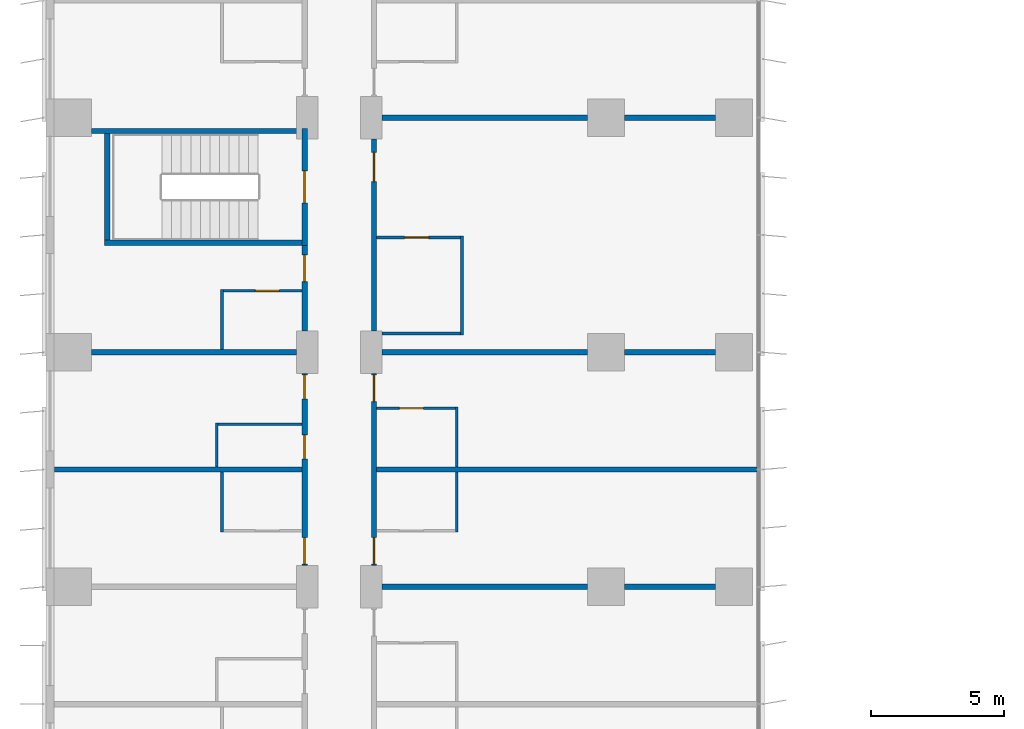
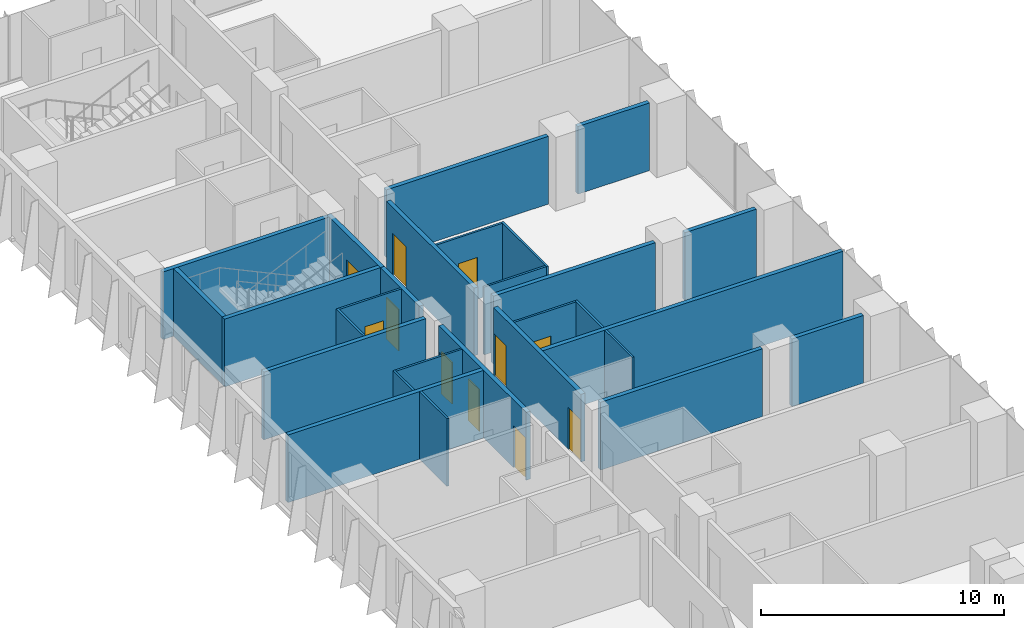
# One storey, part 17 of 24: 28 walls, 11 doors, 11 openings.
"""IFC4 building model written with IfcOpenShell, lengths in metres."""

from ifc_helpers import new_model, si_unit, direction, frame, frame_2d, origin, place, context, subcontext, project, spatial, rectangle, extrude, material, layer, layer_set, type_object, element, fill, save


model = new_model("IFC4")

# Units and contexts
model_context = context("Model", 3, precision=1e-05, world=origin(), true_north=direction((0.0, 1.0)))
body_context = subcontext(model_context, "Body", "Model", "MODEL_VIEW")
ifc_project = project(units=[si_unit("LENGTHUNIT", "METRE"), si_unit("AREAUNIT", "SQUARE_METRE"), si_unit("VOLUMEUNIT", "CUBIC_METRE"), si_unit("PLANEANGLEUNIT", "RADIAN"), si_unit("MASSUNIT", "GRAM", prefix="KILO")], contexts=[model_context])

# Site, building, storey
site_placement = place(None, origin())
site = spatial("IfcSite", under=ifc_project, at=site_placement, CompositionType="ELEMENT")
building_placement = place(site_placement, origin())
building = spatial("IfcBuilding", under=site, at=building_placement, Name="Kemantara Hotel Tower", CompositionType="ELEMENT")
storey_placement = place(building_placement, frame((0.0, 0.0, 37.699951171875)))
storey = spatial("IfcBuildingStorey", under=building, at=storey_placement, Name="L07", CompositionType="ELEMENT", Elevation=37.699951171875)

# Wall, openings, doors
ifc_material_1 = material(Name="Gypsum board partition, steel studs and mineral wool, 200 mm", Category="steel")
ifc_layer_1 = layer(ifc_material_1, 0.199951171875)
ifc_layer_set_1 = layer_set([ifc_layer_1], Name="Gypsum board partition, steel studs and mineral wool, 200 mm")
wall_type_1 = type_object("IfcWallType", Name="CORRIDOR WALL 200", PredefinedType="PARTITIONING", material=ifc_layer_set_1)
wall_1_placement = place(storey_placement, frame((9.699951171875, 45.800048828125, 0.0), z_axis=(0.0, 0.0, 1.0), x_axis=(0.0, 1.0, 0.0)))
wall_1 = element("IfcWall", 1, at=wall_1_placement, inside=storey, type_object=wall_type_1, Name="CORRIDOR WALL 200 035", PredefinedType="PARTITIONING", context=body_context, shape_type="SweptSolid", body=[
    extrude(rectangle(XDim=7.199951171875, YDim=0.199951171875, at=frame_2d((3.60009765625, 0.0))), origin(), (0.0, 0.0, 1.0), 3.400146484375),
])
opening_1_placement = place(wall_1_placement, frame((0.0498046875, 0.0, 0.0)))
opening_1 = element("IfcOpeningElement", 2, at=opening_1_placement, cuts=wall_1, Name="Opening F01-045", PredefinedType="OPENING", context=body_context, shape_type="SweptSolid", body=[
    extrude(rectangle(XDim=1.0, YDim=2.10009765625, at=frame_2d((0.5, 1.050048828125))), frame((0.0, 0.10986328125, 0.0), z_axis=(0.0, -1.0, 0.0), x_axis=(1.0, 0.0, 0.0)), (0.0, 0.0, 1.0), 0.219970703125),
])
opening_2_placement = place(wall_1_placement, frame((6.25, 0.0, 0.0)))
opening_2 = element("IfcOpeningElement", 3, at=opening_2_placement, cuts=wall_1, Name="Opening F01-047", PredefinedType="OPENING", context=body_context, shape_type="SweptSolid", body=[
    extrude(rectangle(XDim=0.89990234375, YDim=2.10009765625, at=frame_2d((0.449951171875, 1.050048828125))), frame((0.0, 0.10986328125, 0.0), z_axis=(0.0, -1.0, 0.0), x_axis=(1.0, 0.0, 0.0)), (0.0, 0.0, 1.0), 0.219970703125),
])
opening_3_placement = place(wall_1_placement, frame((4.0, 0.0, 0.0)))
opening_3 = element("IfcOpeningElement", 4, at=opening_3_placement, cuts=wall_1, Name="Opening F01-048", PredefinedType="OPENING", context=body_context, shape_type="SweptSolid", body=[
    extrude(rectangle(XDim=0.89990234375, YDim=2.10009765625, at=frame_2d((0.449951171875, 1.050048828125))), frame((0.0, 0.10986328125, 0.0), z_axis=(0.0, -1.0, 0.0), x_axis=(1.0, 0.0, 0.0)), (0.0, 0.0, 1.0), 0.219970703125),
])
ifc_material_2 = material(Name="Hardwood veneer door leaf with steel frame", Category="steel")
door_type_1 = type_object("IfcDoorType", Name="GUEST ROOM DOOR 1000 X 2100 FD30S", OperationType="NOTDEFINED", PredefinedType="DOOR", material=ifc_material_2)
door_1_placement = place(opening_1_placement, origin())
door_1 = element("IfcDoor", 5, at=door_1_placement, inside=storey, type_object=door_type_1, Name="GUEST ROOM DOOR F01-045", OperationType="SINGLE_SWING_LEFT", OverallHeight=2.10009765625, OverallWidth=1.0, PredefinedType="DOOR", context=body_context, shape_type="SweptSolid", body=[
    extrude(rectangle(XDim=1.0, YDim=2.10009765625, at=frame_2d((0.5, 1.050048828125))), frame((0.0, 0.02490234375, 0.0), z_axis=(0.0, -1.0, 0.0), x_axis=(1.0, 0.0, 0.0)), (0.0, 0.0, 1.0), 0.050048828125),
])
fill(opening_1, door_1)
ifc_material_3 = material(Name="Steel door leaf with steel frame", Category="steel")
door_type_2 = type_object("IfcDoorType", Name="SERVICE ROOM DOOR 900 X 2100 FD60", OperationType="NOTDEFINED", PredefinedType="DOOR", material=ifc_material_3)
door_2_placement = place(opening_2_placement, origin())
door_2 = element("IfcDoor", 6, at=door_2_placement, inside=storey, type_object=door_type_2, Name="SERVICE ROOM DOOR F01-047", OperationType="SINGLE_SWING_RIGHT", OverallHeight=2.10009765625, OverallWidth=0.89990234375, PredefinedType="DOOR", context=body_context, shape_type="SweptSolid", body=[
    extrude(rectangle(XDim=0.89990234375, YDim=2.10009765625, at=frame_2d((0.449951171875, 1.050048828125))), frame((0.0, 0.02490234375, 0.0), z_axis=(0.0, -1.0, 0.0), x_axis=(1.0, 0.0, 0.0)), (0.0, 0.0, 1.0), 0.050048828125),
])
fill(opening_2, door_2)
door_3_placement = place(opening_3_placement, origin())
door_3 = element("IfcDoor", 7, at=door_3_placement, inside=storey, type_object=door_type_2, Name="SERVICE ROOM DOOR F01-048", OperationType="SINGLE_SWING_LEFT", OverallHeight=2.10009765625, OverallWidth=0.89990234375, PredefinedType="DOOR", context=body_context, shape_type="SweptSolid", body=[
    extrude(rectangle(XDim=0.89990234375, YDim=2.10009765625, at=frame_2d((0.449951171875, 1.050048828125))), frame((0.0, 0.02490234375, 0.0), z_axis=(0.0, -1.0, 0.0), x_axis=(1.0, 0.0, 0.0)), (0.0, 0.0, 1.0), 0.050048828125),
])
fill(opening_3, door_3)

# Wall, opening, door
wall_2_placement = place(storey_placement, frame((9.699951171875, 54.60009765625, 0.0), z_axis=(0.0, 0.0, 1.0), x_axis=(0.0, 1.0, 0.0)))
wall_2 = element("IfcWall", 8, at=wall_2_placement, inside=storey, type_object=wall_type_1, Name="CORRIDOR WALL 200 036", PredefinedType="PARTITIONING", context=body_context, shape_type="SweptSolid", body=[
    extrude(rectangle(XDim=3.199951171875, YDim=0.199951171875, at=frame_2d((1.60009765625, 0.0))), origin(), (0.0, 0.0, 1.0), 3.400146484375),
])
opening_4_placement = place(wall_2_placement, frame((1.849853515625, 0.0, 0.0)))
opening_4 = element("IfcOpeningElement", 9, at=opening_4_placement, cuts=wall_2, Name="Opening F01-049", PredefinedType="OPENING", context=body_context, shape_type="SweptSolid", body=[
    extrude(rectangle(XDim=1.0, YDim=2.10009765625, at=frame_2d((0.5, 1.050048828125))), frame((0.0, 0.10986328125, 0.0), z_axis=(0.0, -1.0, 0.0), x_axis=(1.0, 0.0, 0.0)), (0.0, 0.0, 1.0), 0.219970703125),
])
door_4_placement = place(opening_4_placement, origin())
door_4 = element("IfcDoor", 10, at=door_4_placement, inside=storey, type_object=door_type_1, Name="GUEST ROOM DOOR F01-049", OperationType="SINGLE_SWING_RIGHT", OverallHeight=2.10009765625, OverallWidth=1.0, PredefinedType="DOOR", context=body_context, shape_type="SweptSolid", body=[
    extrude(rectangle(XDim=1.0, YDim=2.10009765625, at=frame_2d((0.5, 1.050048828125))), frame((0.0, 0.02490234375, 0.0), z_axis=(0.0, -1.0, 0.0), x_axis=(1.0, 0.0, 0.0)), (0.0, 0.0, 1.0), 0.050048828125),
])
fill(opening_4, door_4)

# Wall, openings, doors
wall_3_placement = place(storey_placement, frame((12.300048828125, 53.0, 0.0), z_axis=(0.0, 0.0, 1.0), x_axis=(0.0, -1.0, 0.0)))
wall_3 = element("IfcWall", 11, at=wall_3_placement, inside=storey, type_object=wall_type_1, Name="CORRIDOR WALL 200 059", PredefinedType="PARTITIONING", context=body_context, shape_type="SweptSolid", body=[
    extrude(rectangle(XDim=7.199951171875, YDim=0.199951171875, at=frame_2d((3.60009765625, 0.0))), origin(), (0.0, 0.0, 1.0), 3.400146484375),
])
opening_5_placement = place(wall_3_placement, frame((6.14990234375, 0.0, 0.0)))
opening_5 = element("IfcOpeningElement", 12, at=opening_5_placement, cuts=wall_3, Name="Opening F01-065", PredefinedType="OPENING", context=body_context, shape_type="SweptSolid", body=[
    extrude(rectangle(XDim=1.0, YDim=2.10009765625, at=frame_2d((0.5, 1.050048828125))), frame((0.0, 0.10986328125, 0.0), z_axis=(0.0, -1.0, 0.0), x_axis=(1.0, 0.0, 0.0)), (0.0, 0.0, 1.0), 0.219970703125),
])
opening_6_placement = place(wall_3_placement, frame((0.0498046875, 0.0, 0.0)))
opening_6 = element("IfcOpeningElement", 13, at=opening_6_placement, cuts=wall_3, Name="Opening F01-067", PredefinedType="OPENING", context=body_context, shape_type="SweptSolid", body=[
    extrude(rectangle(XDim=1.0, YDim=2.10009765625, at=frame_2d((0.5, 1.050048828125))), frame((0.0, 0.10986328125, 0.0), z_axis=(0.0, -1.0, 0.0), x_axis=(1.0, 0.0, 0.0)), (0.0, 0.0, 1.0), 0.219970703125),
])
door_5_placement = place(opening_5_placement, origin())
door_5 = element("IfcDoor", 14, at=door_5_placement, inside=storey, type_object=door_type_1, Name="GUEST ROOM DOOR F01-065", OperationType="SINGLE_SWING_RIGHT", OverallHeight=2.10009765625, OverallWidth=1.0, PredefinedType="DOOR", context=body_context, shape_type="SweptSolid", body=[
    extrude(rectangle(XDim=1.0, YDim=2.10009765625, at=frame_2d((0.5, 1.050048828125))), frame((0.0, 0.02490234375, 0.0), z_axis=(0.0, -1.0, 0.0), x_axis=(1.0, 0.0, 0.0)), (0.0, 0.0, 1.0), 0.050048828125),
])
fill(opening_5, door_5)
door_6_placement = place(opening_6_placement, origin())
door_6 = element("IfcDoor", 15, at=door_6_placement, inside=storey, type_object=door_type_1, Name="GUEST ROOM DOOR F01-067", OperationType="SINGLE_SWING_LEFT", OverallHeight=2.10009765625, OverallWidth=1.0, PredefinedType="DOOR", context=body_context, shape_type="SweptSolid", body=[
    extrude(rectangle(XDim=1.0, YDim=2.10009765625, at=frame_2d((0.5, 1.050048828125))), frame((0.0, 0.02490234375, 0.0), z_axis=(0.0, -1.0, 0.0), x_axis=(1.0, 0.0, 0.0)), (0.0, 0.0, 1.0), 0.050048828125),
])
fill(opening_6, door_6)

# Wall, opening, door
wall_4_placement = place(storey_placement, frame((12.300048828125, 61.7998046875, 0.0), z_axis=(0.0, 0.0, 1.0), x_axis=(0.0, -1.0, 0.0)))
wall_4 = element("IfcWall", 16, at=wall_4_placement, inside=storey, type_object=wall_type_1, Name="CORRIDOR WALL 200 060", PredefinedType="PARTITIONING", context=body_context, shape_type="SweptSolid", body=[
    extrude(rectangle(XDim=7.19970703125, YDim=0.199951171875, at=frame_2d((3.599853515625, 0.0))), origin(), (0.0, 0.0, 1.0), 3.400146484375),
])
opening_7_placement = place(wall_4_placement, frame((0.5, 0.0, 0.0)))
opening_7 = element("IfcOpeningElement", 17, at=opening_7_placement, cuts=wall_4, Name="Opening F01-069", PredefinedType="OPENING", context=body_context, shape_type="SweptSolid", body=[
    extrude(rectangle(XDim=1.10009765625, YDim=2.10009765625, at=frame_2d((0.550048828125, 1.050048828125))), frame((0.0, 0.10986328125, 0.0), z_axis=(0.0, -1.0, 0.0), x_axis=(1.0, 0.0, 0.0)), (0.0, 0.0, 1.0), 0.219970703125),
])
door_type_3 = type_object("IfcDoorType", Name="SUITE ENTRANCE DOOR 1100 X 2100 FD30S", OperationType="NOTDEFINED", PredefinedType="DOOR", material=ifc_material_2)
door_7_placement = place(opening_7_placement, origin())
door_7 = element("IfcDoor", 18, at=door_7_placement, inside=storey, type_object=door_type_3, Name="SUITE ENTRANCE DOOR F01-069", OperationType="SINGLE_SWING_LEFT", OverallHeight=2.10009765625, OverallWidth=1.10009765625, PredefinedType="DOOR", context=body_context, shape_type="SweptSolid", body=[
    extrude(rectangle(XDim=1.10009765625, YDim=2.10009765625, at=frame_2d((0.550048828125, 1.050048828125))), frame((0.0, 0.02490234375, 0.0), z_axis=(0.0, -1.0, 0.0), x_axis=(1.0, 0.0, 0.0)), (0.0, 0.0, 1.0), 0.050048828125),
])
fill(opening_7, door_7)

ifc_material_4 = material(Name="Concrete fc 40 MPa", Category="concrete")
ifc_layer_2 = layer(ifc_material_4, 0.199951171875)
ifc_layer_set_2 = layer_set([ifc_layer_2], Name="Concrete fc 40 MPa")
wall_type_2 = type_object("IfcWallType", Name="Concrete stair wall 200 mm", PredefinedType="SHEAR", material=ifc_layer_set_2)
wall_5_placement = place(storey_placement, frame((9.699951171875, 57.800048828125, 0.0), z_axis=(0.0, 0.0, 1.0), x_axis=(0.0, 1.0, 0.0)))
wall_5 = element("IfcWall", 19, at=wall_5_placement, inside=storey, type_object=wall_type_2, Name="Stair ST4 enclosure wall with door", PredefinedType="SHEAR", context=body_context, shape_type="SweptSolid", body=[
    extrude(rectangle(XDim=4.39990234375, YDim=0.199951171875, at=frame_2d((2.199951171875, 0.0))), origin(), (0.0, 0.0, 1.0), 3.400146484375),
])
opening_8_placement = place(wall_5_placement, frame((1.60009765625, 0.0, 0.0)))
opening_8 = element("IfcOpeningElement", 20, at=opening_8_placement, cuts=wall_5, Name="Opening ST4-C", PredefinedType="OPENING", context=body_context, shape_type="SweptSolid", body=[
    extrude(rectangle(XDim=1.199951171875, YDim=2.10009765625, at=frame_2d((0.60009765625, 1.050048828125))), frame((0.0, 0.10986328125, 0.0), z_axis=(0.0, -1.0, 0.0), x_axis=(1.0, 0.0, 0.0)), (0.0, 0.0, 1.0), 0.219970703125),
])
ifc_material_5 = material(Name="Steel fire door", Category="steel")
door_type_4 = type_object("IfcDoorType", Name="Fire door FD90 1200 x 2100", OperationType="NOTDEFINED", PredefinedType="DOOR", material=ifc_material_5)
door_8_placement = place(opening_8_placement, origin())
door_8 = element("IfcDoor", 21, at=door_8_placement, inside=storey, type_object=door_type_4, Name="Stair ST4 door", OperationType="SINGLE_SWING_RIGHT", OverallHeight=2.10009765625, OverallWidth=1.199951171875, PredefinedType="DOOR", context=body_context, shape_type="SweptSolid", body=[
    extrude(rectangle(XDim=1.199951171875, YDim=2.10009765625, at=frame_2d((0.60009765625, 1.050048828125))), frame((0.0, 0.02490234375, 0.0), z_axis=(0.0, -1.0, 0.0), x_axis=(1.0, 0.0, 0.0)), (0.0, 0.0, 1.0), 0.050048828125),
])
fill(opening_8, door_8)

# Walls
wall_6_placement = place(storey_placement, frame((1.699951171875, 62.10009765625, 0.0), z_axis=(0.0, 0.0, 1.0), x_axis=(1.0, 0.0, 0.0)))
element("IfcWall", 22, at=wall_6_placement, inside=storey, type_object=wall_type_2, Name="Stair ST4 enclosure wall N", PredefinedType="SHEAR", context=body_context, shape_type="SweptSolid", body=[
    extrude(rectangle(XDim=7.900146484375, YDim=0.199951171875, at=frame_2d((3.9501953125, 0.0))), origin(), (0.0, 0.0, 1.0), 3.400146484375),
])
wall_7_placement = place(storey_placement, frame((2.199951171875, 57.89990234375, 0.0), z_axis=(0.0, 0.0, 1.0), x_axis=(1.0, 0.0, 0.0)))
element("IfcWall", 23, at=wall_7_placement, inside=storey, type_object=wall_type_2, Name="Stair ST4 enclosure wall S", PredefinedType="SHEAR", context=body_context, shape_type="SweptSolid", body=[
    extrude(rectangle(XDim=7.400146484375, YDim=0.199951171875, at=frame_2d((3.7001953125, 0.0))), origin(), (0.0, 0.0, 1.0), 3.400146484375),
])
wall_8_placement = place(storey_placement, frame((2.300048828125, 58.0, 0.0), z_axis=(0.0, 0.0, 1.0), x_axis=(0.0, 1.0, 0.0)))
element("IfcWall", 24, at=wall_8_placement, inside=storey, type_object=wall_type_2, Name="Stair ST4 enclosure wall W", PredefinedType="SHEAR", context=body_context, shape_type="SweptSolid", body=[
    extrude(rectangle(XDim=4.0, YDim=0.199951171875, at=frame_2d((2.0, 0.0))), origin(), (0.0, 0.0, 1.0), 3.400146484375),
])
ifc_layer_3 = layer(ifc_material_1, 0.199951171875)
ifc_layer_set_3 = layer_set([ifc_layer_3], Name="Gypsum board partition, steel studs and mineral wool, 200 mm")
wall_type_3 = type_object("IfcWallType", Name="GUEST ROOM PARTY WALL 200", PredefinedType="PARTITIONING", material=ifc_layer_set_3)
wall_9_placement = place(storey_placement, frame((12.60009765625, 45.0, 0.0), z_axis=(0.0, 0.0, 1.0), x_axis=(1.0, 0.0, 0.0)))
element("IfcWall", 25, at=wall_9_placement, inside=storey, type_object=wall_type_3, Name="GUEST ROOM PARTY WALL 200 047", PredefinedType="PARTITIONING", context=body_context, shape_type="SweptSolid", body=[
    extrude(rectangle(XDim=7.69970703125, YDim=0.199951171875, at=frame_2d((3.849853515625, 0.0))), origin(), (0.0, 0.0, 1.0), 3.400146484375),
])
wall_10_placement = place(storey_placement, frame((21.7001953125, 45.0, 0.0), z_axis=(0.0, 0.0, 1.0), x_axis=(1.0, 0.0, 0.0)))
element("IfcWall", 26, at=wall_10_placement, inside=storey, type_object=wall_type_3, Name="GUEST ROOM PARTY WALL 200 048", PredefinedType="PARTITIONING", context=body_context, shape_type="SweptSolid", body=[
    extrude(rectangle(XDim=3.399658203125, YDim=0.199951171875, at=frame_2d((1.69970703125, 0.0))), origin(), (0.0, 0.0, 1.0), 3.400146484375),
])
wall_11_placement = place(storey_placement, frame((0.31005859375, 49.39990234375, 0.0), z_axis=(0.0, 0.0, 1.0), x_axis=(1.0, 0.0, 0.0)))
element("IfcWall", 27, at=wall_11_placement, inside=storey, type_object=wall_type_3, Name="GUEST ROOM PARTY WALL 200 049", PredefinedType="PARTITIONING", context=body_context, shape_type="SweptSolid", body=[
    extrude(rectangle(XDim=9.2900390625, YDim=0.199951171875, at=frame_2d((4.64501953125, 0.0))), origin(), (0.0, 0.0, 1.0), 3.400146484375),
])
wall_12_placement = place(storey_placement, frame((12.39990234375, 49.39990234375, 0.0), z_axis=(0.0, 0.0, 1.0), x_axis=(1.0, 0.0, 0.0)))
element("IfcWall", 28, at=wall_12_placement, inside=storey, type_object=wall_type_3, Name="GUEST ROOM PARTY WALL 200 050", PredefinedType="PARTITIONING", context=body_context, shape_type="SweptSolid", body=[
    extrude(rectangle(XDim=14.27001953125, YDim=0.199951171875, at=frame_2d((7.135009765625, 0.0))), origin(), (0.0, 0.0, 1.0), 3.400146484375),
])
for number, where, z_axis, x_axis, name in (
    (29, (1.7001953125, 53.800048828125, 0.0), (0.0, 0.0, 1.0), (1.0, 0.0, 0.0), "GUEST ROOM PARTY WALL 200 051"),
    (30, (12.60009765625, 53.800048828125, 0.0), (0.0, 0.0, 1.0), (1.0, 0.0, 0.0), "GUEST ROOM PARTY WALL 200 052"),
):
    element("IfcWall", number, at=place(storey_placement, frame(where, z_axis=z_axis, x_axis=x_axis)), inside=storey, type_object=wall_type_3, Name=name, PredefinedType="PARTITIONING", context=body_context, shape_type="SweptSolid", body=[
        extrude(rectangle(XDim=7.69970703125, YDim=0.199951171875, at=frame_2d((3.849853515625, 0.0))), origin(), (0.0, 0.0, 1.0), 3.400146484375),
    ])
wall_13_placement = place(storey_placement, frame((21.7001953125, 53.800048828125, 0.0), z_axis=(0.0, 0.0, 1.0), x_axis=(1.0, 0.0, 0.0)))
element("IfcWall", 31, at=wall_13_placement, inside=storey, type_object=wall_type_3, Name="GUEST ROOM PARTY WALL 200 053", PredefinedType="PARTITIONING", context=body_context, shape_type="SweptSolid", body=[
    extrude(rectangle(XDim=3.399658203125, YDim=0.199951171875, at=frame_2d((1.69970703125, 0.0))), origin(), (0.0, 0.0, 1.0), 3.400146484375),
])
wall_14_placement = place(storey_placement, frame((12.60009765625, 62.60009765625, 0.0), z_axis=(0.0, 0.0, 1.0), x_axis=(1.0, 0.0, 0.0)))
element("IfcWall", 32, at=wall_14_placement, inside=storey, type_object=wall_type_3, Name="GUEST ROOM PARTY WALL 200 067", PredefinedType="PARTITIONING", context=body_context, shape_type="SweptSolid", body=[
    extrude(rectangle(XDim=7.69970703125, YDim=0.199951171875, at=frame_2d((3.849853515625, 0.0))), origin(), (0.0, 0.0, 1.0), 3.400146484375),
])
wall_15_placement = place(storey_placement, frame((21.7001953125, 62.60009765625, 0.0), z_axis=(0.0, 0.0, 1.0), x_axis=(1.0, 0.0, 0.0)))
element("IfcWall", 33, at=wall_15_placement, inside=storey, type_object=wall_type_3, Name="GUEST ROOM PARTY WALL 200 068", PredefinedType="PARTITIONING", context=body_context, shape_type="SweptSolid", body=[
    extrude(rectangle(XDim=3.399658203125, YDim=0.199951171875, at=frame_2d((1.69970703125, 0.0))), origin(), (0.0, 0.0, 1.0), 3.400146484375),
])
ifc_material_6 = material(Name="Gypsum board partition on steel studs, 100 mm", Category="steel")
ifc_layer_4 = layer(ifc_material_6, 0.10009765625)
ifc_layer_set_4 = layer_set([ifc_layer_4], Name="Gypsum board partition on steel studs, 100 mm")
wall_type_4 = type_object("IfcWallType", Name="ROOM PARTITION 100", PredefinedType="PARTITIONING", material=ifc_layer_set_4)
wall_16_placement = place(storey_placement, frame((6.39990234375, 49.5, 0.0), z_axis=(0.0, 0.0, 1.0), x_axis=(0.0, 1.0, 0.0)))
element("IfcWall", 34, at=wall_16_placement, inside=storey, type_object=wall_type_4, Name="ROOM PARTITION 100 113", PredefinedType="PARTITIONING", context=body_context, shape_type="SweptSolid", body=[
    extrude(rectangle(XDim=1.64990234375, YDim=0.10009765625, at=frame_2d((0.824951171875, 0.0))), origin(), (0.0, 0.0, 1.0), 3.400146484375),
])
for number, where, z_axis, x_axis, name in (
    (35, (6.60009765625, 47.050048828125, 0.0), (0.0, 0.0, 1.0), (0.0, 1.0, 0.0), "ROOM PARTITION 100 117"),
    (36, (6.60009765625, 53.89990234375, 0.0), (0.0, 0.0, 1.0), (0.0, 1.0, 0.0), "ROOM PARTITION 100 118"),
):
    element("IfcWall", number, at=place(storey_placement, frame(where, z_axis=z_axis, x_axis=x_axis)), inside=storey, type_object=wall_type_4, Name=name, PredefinedType="PARTITIONING", context=body_context, shape_type="SweptSolid", body=[
        extrude(rectangle(XDim=2.25, YDim=0.10009765625, at=frame_2d((1.125, 0.0))), origin(), (0.0, 0.0, 1.0), 3.400146484375),
    ])
wall_17_placement = place(storey_placement, frame((6.449951171875, 51.10009765625, 0.0), z_axis=(0.0, 0.0, 1.0), x_axis=(1.0, 0.0, 0.0)))
element("IfcWall", 37, at=wall_17_placement, inside=storey, type_object=wall_type_4, Name="ROOM PARTITION 100 126", PredefinedType="PARTITIONING", context=body_context, shape_type="SweptSolid", body=[
    extrude(rectangle(XDim=3.150146484375, YDim=0.10009765625, at=frame_2d((1.5751953125, 0.0))), origin(), (0.0, 0.0, 1.0), 3.400146484375),
])

# Wall, opening, door
wall_18_placement = place(storey_placement, frame((9.60009765625, 56.10009765625, 0.0), z_axis=(0.0, 0.0, 1.0), x_axis=(-1.0, 0.0, 0.0)))
wall_18 = element("IfcWall", 38, at=wall_18_placement, inside=storey, type_object=wall_type_4, Name="ROOM PARTITION 100 127", PredefinedType="PARTITIONING", context=body_context, shape_type="SweptSolid", body=[
    extrude(rectangle(XDim=2.9501953125, YDim=0.10009765625, at=frame_2d((1.47509765625, 0.0))), origin(), (0.0, 0.0, 1.0), 3.400146484375),
])
opening_9_placement = place(wall_18_placement, frame((0.85009765625, 0.0, 0.0)))
opening_9 = element("IfcOpeningElement", 39, at=opening_9_placement, cuts=wall_18, Name="Opening F01-050", PredefinedType="OPENING", context=body_context, shape_type="SweptSolid", body=[
    extrude(rectangle(XDim=0.89990234375, YDim=2.10009765625, at=frame_2d((0.449951171875, 1.050048828125))), frame((0.0, 0.06005859375, 0.0), z_axis=(0.0, -1.0, 0.0), x_axis=(1.0, 0.0, 0.0)), (0.0, 0.0, 1.0), 0.1201171875),
])
door_type_5 = type_object("IfcDoorType", Name="BATHROOM DOOR 900 X 2100", OperationType="NOTDEFINED", PredefinedType="DOOR", material=ifc_material_2)
door_9_placement = place(opening_9_placement, origin())
door_9 = element("IfcDoor", 40, at=door_9_placement, inside=storey, type_object=door_type_5, Name="BATHROOM DOOR F01-050", OperationType="SINGLE_SWING_LEFT", OverallHeight=2.10009765625, OverallWidth=0.89990234375, PredefinedType="DOOR", context=body_context, shape_type="SweptSolid", body=[
    extrude(rectangle(XDim=0.89990234375, YDim=2.10009765625, at=frame_2d((0.449951171875, 1.050048828125))), frame((0.0, 0.02490234375, 0.0), z_axis=(0.0, -1.0, 0.0), x_axis=(1.0, 0.0, 0.0)), (0.0, 0.0, 1.0), 0.050048828125),
])
fill(opening_9, door_9)

# Walls
wall_19_placement = place(storey_placement, frame((15.60009765625, 54.449951171875, 0.0), z_axis=(0.0, 0.0, 1.0), x_axis=(0.0, 1.0, 0.0)))
element("IfcWall", 41, at=wall_19_placement, inside=storey, type_object=wall_type_4, Name="ROOM PARTITION 100 134", PredefinedType="PARTITIONING", context=body_context, shape_type="SweptSolid", body=[
    extrude(rectangle(XDim=3.699951171875, YDim=0.10009765625, at=frame_2d((1.85009765625, 0.0))), origin(), (0.0, 0.0, 1.0), 3.400146484375),
])
for number, where, z_axis, x_axis, name in (
    (42, (15.39990234375, 47.050048828125, 0.0), (0.0, 0.0, 1.0), (0.0, 1.0, 0.0), "ROOM PARTITION 100 139"),
    (43, (15.39990234375, 49.5, 0.0), (0.0, 0.0, 1.0), (0.0, 1.0, 0.0), "ROOM PARTITION 100 140"),
):
    element("IfcWall", number, at=place(storey_placement, frame(where, z_axis=z_axis, x_axis=x_axis)), inside=storey, type_object=wall_type_4, Name=name, PredefinedType="PARTITIONING", context=body_context, shape_type="SweptSolid", body=[
        extrude(rectangle(XDim=2.25, YDim=0.10009765625, at=frame_2d((1.125, 0.0))), origin(), (0.0, 0.0, 1.0), 3.400146484375),
    ])

# Wall, opening, door
wall_20_placement = place(storey_placement, frame((15.35009765625, 51.699951171875, 0.0), z_axis=(0.0, 0.0, 1.0), x_axis=(-1.0, 0.0, 0.0)))
wall_20 = element("IfcWall", 44, at=wall_20_placement, inside=storey, type_object=wall_type_4, Name="ROOM PARTITION 100 145", PredefinedType="PARTITIONING", context=body_context, shape_type="SweptSolid", body=[
    extrude(rectangle(XDim=2.9501953125, YDim=0.10009765625, at=frame_2d((1.47509765625, 0.0))), origin(), (0.0, 0.0, 1.0), 3.400146484375),
])
opening_10_placement = place(wall_20_placement, frame((1.199951171875, 0.0, 0.0)))
opening_10 = element("IfcOpeningElement", 45, at=opening_10_placement, cuts=wall_20, Name="Opening F01-068", PredefinedType="OPENING", context=body_context, shape_type="SweptSolid", body=[
    extrude(rectangle(XDim=0.89990234375, YDim=2.10009765625, at=frame_2d((0.449951171875, 1.050048828125))), frame((0.0, 0.06005859375, 0.0), z_axis=(0.0, -1.0, 0.0), x_axis=(1.0, 0.0, 0.0)), (0.0, 0.0, 1.0), 0.1201171875),
])
door_10_placement = place(opening_10_placement, origin())
door_10 = element("IfcDoor", 46, at=door_10_placement, inside=storey, type_object=door_type_5, Name="BATHROOM DOOR F01-068", OperationType="SINGLE_SWING_RIGHT", OverallHeight=2.10009765625, OverallWidth=0.89990234375, PredefinedType="DOOR", context=body_context, shape_type="SweptSolid", body=[
    extrude(rectangle(XDim=0.89990234375, YDim=2.10009765625, at=frame_2d((0.449951171875, 1.050048828125))), frame((0.0, 0.02490234375, 0.0), z_axis=(0.0, -1.0, 0.0), x_axis=(1.0, 0.0, 0.0)), (0.0, 0.0, 1.0), 0.050048828125),
])
fill(opening_10, door_10)

# Wall
wall_21_placement = place(storey_placement, frame((12.60009765625, 54.5, 0.0), z_axis=(0.0, 0.0, 1.0), x_axis=(1.0, 0.0, 0.0)))
element("IfcWall", 47, at=wall_21_placement, inside=storey, type_object=wall_type_4, Name="ROOM PARTITION 100 146", PredefinedType="PARTITIONING", context=body_context, shape_type="SweptSolid", body=[
    extrude(rectangle(XDim=2.949951171875, YDim=0.10009765625, at=frame_2d((1.47509765625, 0.0))), origin(), (0.0, 0.0, 1.0), 3.400146484375),
])

# Wall, opening, door
wall_22_placement = place(storey_placement, frame((15.550048828125, 58.10009765625, 0.0), z_axis=(0.0, 0.0, 1.0), x_axis=(-1.0, 0.0, 0.0)))
wall_22 = element("IfcWall", 48, at=wall_22_placement, inside=storey, type_object=wall_type_4, Name="ROOM PARTITION 100 147", PredefinedType="PARTITIONING", context=body_context, shape_type="SweptSolid", body=[
    extrude(rectangle(XDim=3.150146484375, YDim=0.10009765625, at=frame_2d((1.5751953125, 0.0))), origin(), (0.0, 0.0, 1.0), 3.400146484375),
])
opening_11_placement = place(wall_22_placement, frame((1.199951171875, 0.0, 0.0)))
opening_11 = element("IfcOpeningElement", 49, at=opening_11_placement, cuts=wall_22, Name="Opening F01-070", PredefinedType="OPENING", context=body_context, shape_type="SweptSolid", body=[
    extrude(rectangle(XDim=0.89990234375, YDim=2.10009765625, at=frame_2d((0.449951171875, 1.050048828125))), frame((0.0, 0.06005859375, 0.0), z_axis=(0.0, -1.0, 0.0), x_axis=(1.0, 0.0, 0.0)), (0.0, 0.0, 1.0), 0.1201171875),
])
door_11_placement = place(opening_11_placement, origin())
door_11 = element("IfcDoor", 50, at=door_11_placement, inside=storey, type_object=door_type_5, Name="BATHROOM DOOR F01-070", OperationType="SINGLE_SWING_RIGHT", OverallHeight=2.10009765625, OverallWidth=0.89990234375, PredefinedType="DOOR", context=body_context, shape_type="SweptSolid", body=[
    extrude(rectangle(XDim=0.89990234375, YDim=2.10009765625, at=frame_2d((0.449951171875, 1.050048828125))), frame((0.0, 0.02490234375, 0.0), z_axis=(0.0, -1.0, 0.0), x_axis=(1.0, 0.0, 0.0)), (0.0, 0.0, 1.0), 0.050048828125),
])
fill(opening_11, door_11)

save(model, "model.ifc")
